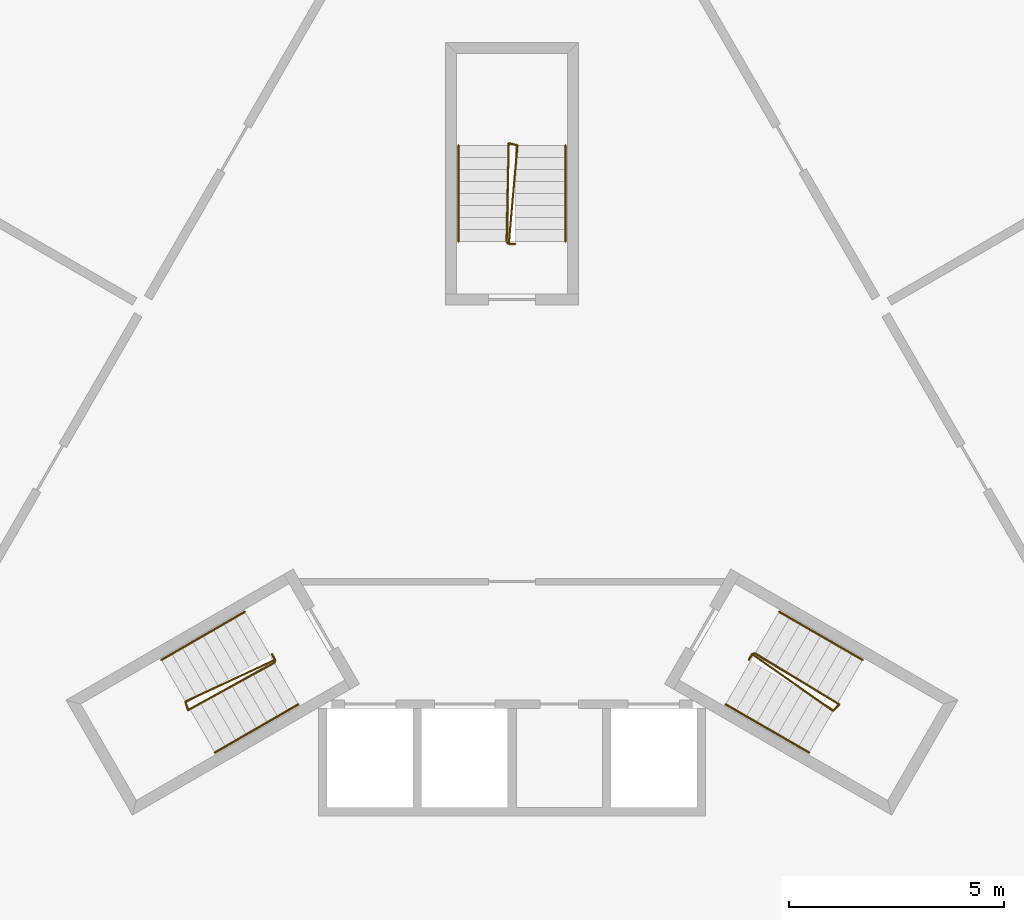
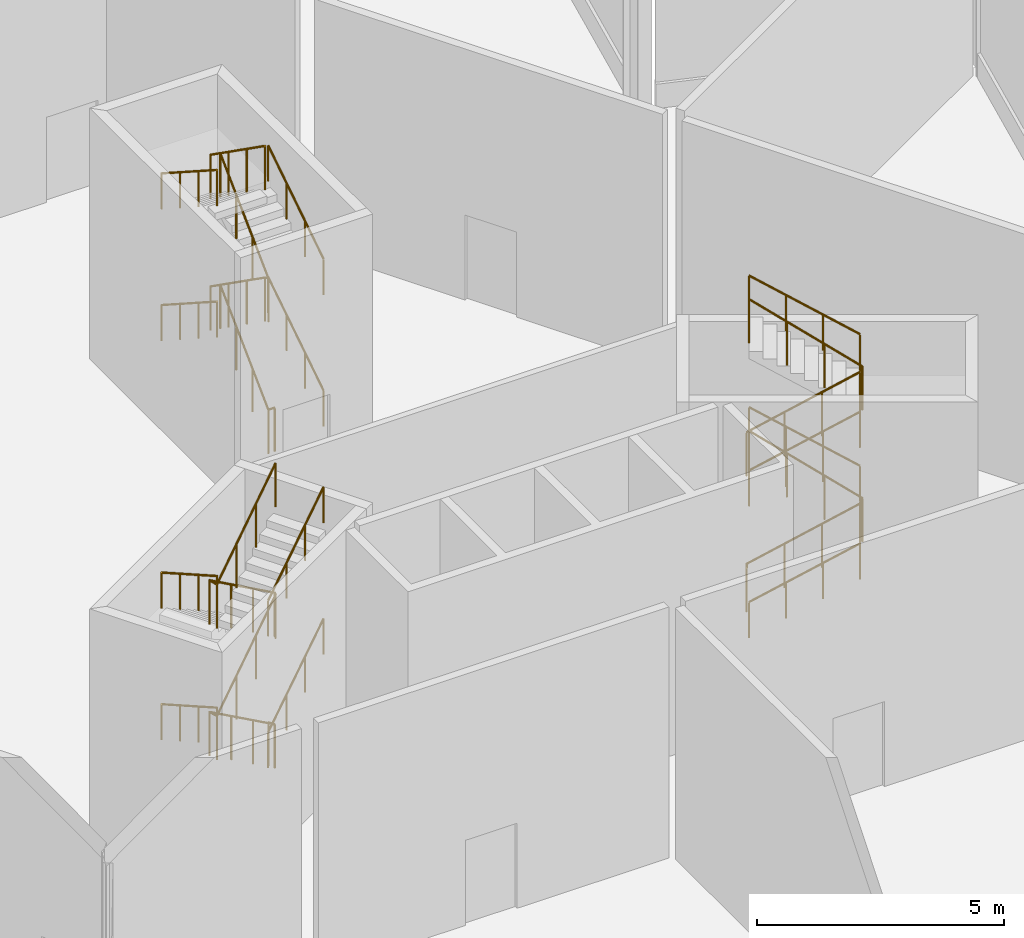
# One storey, part 12 of 12: 15 railings.
"""IFC4 building model written with IfcOpenShell, lengths in metres."""

from ifc_helpers import new_model, si_unit, direction, frame, origin, origin_2d, place, context, subcontext, project, spatial, circle, extrude, material, type_object, element, save


model = new_model("IFC4")

# Units and contexts
model_context = context("Model", 3, precision=1e-05, world=origin(), true_north=direction((0.0, 1.0)))
body_context = subcontext(model_context, "Body", "Model", "MODEL_VIEW")
ifc_project = project(units=[si_unit("LENGTHUNIT", "METRE"), si_unit("AREAUNIT", "SQUARE_METRE"), si_unit("VOLUMEUNIT", "CUBIC_METRE"), si_unit("PLANEANGLEUNIT", "RADIAN"), si_unit("MASSUNIT", "GRAM", prefix="KILO")], contexts=[model_context])

# Site, building, storey
site_placement = place(None, origin())
site = spatial("IfcSite", under=ifc_project, at=site_placement, CompositionType="ELEMENT")
building_placement = place(site_placement, origin())
building = spatial("IfcBuilding", under=site, at=building_placement, Name="Cormorant Prow Tower", CompositionType="ELEMENT")
storey_placement = place(building_placement, frame((0.0, 0.0, 428.199951171875)))
storey = spatial("IfcBuildingStorey", under=building, at=storey_placement, Name="L96", CompositionType="ELEMENT", Elevation=428.199951171875)

# Railings
ifc_material_1 = material(Name="Stainless steel", Category="steel")
railing_type_1 = type_object("IfcRailingType", Name="Stair guard 1100", PredefinedType="GUARDRAIL", material=ifc_material_1)
railing_1_placement = place(storey_placement, frame((-5.585205078125, -3.137939453125, 0.0)))
element("IfcRailing", 1, at=railing_1_placement, inside=storey, type_object=railing_type_1, Name="L96 ST1 stair guard 1", PredefinedType="GUARDRAIL", context=body_context, shape_type="SweptSolid", body=[
    extrude(circle(Radius=0.02392578125, at=origin_2d()), frame((0.0, 0.0, 1.076171875), z_axis=(0.501036270542, -0.865426285481, 0.0), x_axis=(0.865426285481, 0.501036270542, 0.0)), (0.0, 0.0, 1.0), 0.150146484375),
    extrude(circle(Radius=0.02392578125, at=origin_2d()), frame((0.0751953125, -0.1298828125, 1.076171875), z_axis=(-0.740008473092, -0.345244782771, 0.577229157026), x_axis=(0.422792438952, -0.906226546491, 0.0)), (0.0, 0.0, 1.0), 2.815185546875),
    extrude(circle(Radius=0.02392578125, at=origin_2d()), frame((-2.008056640625, -1.101806640625, 2.701171875), z_axis=(0.275034262293, -0.961434425515, 0.0), x_axis=(0.961434425515, 0.275034262293, 0.0)), (0.0, 0.0, 1.0), 0.2060546875),
    extrude(circle(Radius=0.02392578125, at=origin_2d()), frame((-1.951416015625, -1.2998046875, 2.701171875), z_axis=(0.715094700355, 0.392232833455, 0.578612974175), x_axis=(-0.480911908544, 0.87676891837, 0.0)), (0.0, 0.0, 1.0), 2.808349609375),
    extrude(circle(Radius=0.02392578125, at=origin_2d()), frame((0.056884765625, -0.1982421875, 4.326171875), z_axis=(0.258736085224, 0.965948051503, 0.0), x_axis=(-0.965948051503, 0.258736085224, 0.0)), (0.0, 0.0, 1.0), 0.07080078125),
    extrude(circle(Radius=0.02392578125, at=origin_2d()), frame((0.0751953125, -0.1298828125, 4.326171875), z_axis=(-0.740008473092, -0.345244782771, 0.577229157026), x_axis=(0.422792438952, -0.906226546491, 0.0)), (0.0, 0.0, 1.0), 2.815185546875),
    extrude(circle(Radius=0.02392578125, at=origin_2d()), frame((-2.008056640625, -1.101806640625, 5.951171875), z_axis=(0.275034262293, -0.961434425515, 0.0), x_axis=(0.961434425515, 0.275034262293, 0.0)), (0.0, 0.0, 1.0), 0.2060546875),
    extrude(circle(Radius=0.02392578125, at=origin_2d()), frame((-1.951416015625, -1.2998046875, 5.951171875), z_axis=(0.715094700355, 0.392232833455, 0.578612974175), x_axis=(-0.480911908544, 0.87676891837, 0.0)), (0.0, 0.0, 1.0), 2.808349609375),
    extrude(circle(Radius=0.02099609375, at=origin_2d()), origin(), (0.0, 0.0, 1.0), 1.052001953125),
    extrude(circle(Radius=0.02099609375, at=origin_2d()), frame((0.0751953125, -0.1298828125, 0.0)), (0.0, 0.0, 1.0), 1.052001953125),
    extrude(circle(Radius=0.02099609375, at=origin_2d()), frame((-0.619140625, -0.453857421875, 0.541748046875)), (0.0, 0.0, 1.0), 1.052001953125),
    extrude(circle(Radius=0.02099609375, at=origin_2d()), frame((-1.313720703125, -0.77783203125, 1.083251953125)), (0.0, 0.0, 1.0), 1.052001953125),
    extrude(circle(Radius=0.02099609375, at=origin_2d()), frame((-2.008056640625, -1.101806640625, 1.625)), (0.0, 0.0, 1.0), 1.052001953125),
    extrude(circle(Radius=0.02099609375, at=origin_2d()), frame((-1.951416015625, -1.2998046875, 1.625)), (0.0, 0.0, 1.0), 1.052001953125),
    extrude(circle(Radius=0.02099609375, at=origin_2d()), frame((-1.281982421875, -0.9326171875, 2.166748046875)), (0.0, 0.0, 1.0), 1.052001953125),
    extrude(circle(Radius=0.02099609375, at=origin_2d()), frame((-0.612548828125, -0.5654296875, 2.708251953125)), (0.0, 0.0, 1.0), 1.052001953125),
    extrude(circle(Radius=0.02099609375, at=origin_2d()), frame((0.056884765625, -0.1982421875, 3.25)), (0.0, 0.0, 1.0), 1.052001953125),
    extrude(circle(Radius=0.02099609375, at=origin_2d()), frame((0.0751953125, -0.1298828125, 3.25)), (0.0, 0.0, 1.0), 1.052001953125),
    extrude(circle(Radius=0.02099609375, at=origin_2d()), frame((-0.619140625, -0.453857421875, 3.791748046875)), (0.0, 0.0, 1.0), 1.052001953125),
    extrude(circle(Radius=0.02099609375, at=origin_2d()), frame((-1.313720703125, -0.77783203125, 4.333251953125)), (0.0, 0.0, 1.0), 1.052001953125),
    extrude(circle(Radius=0.02099609375, at=origin_2d()), frame((-2.008056640625, -1.101806640625, 4.875)), (0.0, 0.0, 1.0), 1.052001953125),
    extrude(circle(Radius=0.02099609375, at=origin_2d()), frame((-1.951416015625, -1.2998046875, 4.875)), (0.0, 0.0, 1.0), 1.052001953125),
    extrude(circle(Radius=0.02099609375, at=origin_2d()), frame((-1.281982421875, -0.9326171875, 5.416748046875)), (0.0, 0.0, 1.0), 1.052001953125),
    extrude(circle(Radius=0.02099609375, at=origin_2d()), frame((-0.612548828125, -0.5654296875, 5.958251953125)), (0.0, 0.0, 1.0), 1.052001953125),
    extrude(circle(Radius=0.02099609375, at=origin_2d()), frame((0.056884765625, -0.1982421875, 6.5)), (0.0, 0.0, 1.0), 1.052001953125),
])
railing_2_placement = place(storey_placement, frame((5.510009765625, -3.267822265625, 0.0)))
element("IfcRailing", 2, at=railing_2_placement, inside=storey, type_object=railing_type_1, Name="L96 ST2 stair guard 1", PredefinedType="GUARDRAIL", context=body_context, shape_type="SweptSolid", body=[
    extrude(circle(Radius=0.02392578125, at=origin_2d()), frame((0.0, 0.0, 1.076171875), z_axis=(0.501036270542, 0.865426285481, 0.0), x_axis=(-0.865426285481, 0.501036270542, 0.0)), (0.0, 0.0, 1.0), 0.150146484375),
    extrude(circle(Radius=0.02392578125, at=origin_2d()), frame((0.0751953125, 0.1298828125, 1.076171875), z_axis=(0.668948032696, -0.468254949893, 0.577274485365), x_axis=(0.573455215813, 0.819236910458, 0.0)), (0.0, 0.0, 1.0), 2.81494140625),
    extrude(circle(Radius=0.02392578125, at=origin_2d()), frame((1.958251953125, -1.188232421875, 2.701171875), z_axis=(0.695164929852, 0.718850276695, 0.0), x_axis=(-0.718850276695, 0.695164929852, 0.0)), (0.0, 0.0, 1.0), 0.2060546875),
    extrude(circle(Radius=0.02392578125, at=origin_2d()), frame((2.1015625, -1.0400390625, 2.701171875), z_axis=(-0.697276709807, 0.423095093708, 0.578615357246), x_axis=(-0.518752825935, -0.854924268918, 0.0)), (0.0, 0.0, 1.0), 2.808349609375),
    extrude(circle(Radius=0.02392578125, at=origin_2d()), frame((0.143310546875, 0.148193359375, 4.326171875), z_axis=(-0.965715946433, -0.259601060869, 0.0), x_axis=(0.259601060869, -0.965715946433, 0.0)), (0.0, 0.0, 1.0), 0.070556640625),
    extrude(circle(Radius=0.02392578125, at=origin_2d()), frame((0.0751953125, 0.1298828125, 4.326171875), z_axis=(0.668948032696, -0.468254949893, 0.577274485365), x_axis=(0.573455215813, 0.819236910458, 0.0)), (0.0, 0.0, 1.0), 2.81494140625),
    extrude(circle(Radius=0.02392578125, at=origin_2d()), frame((1.958251953125, -1.188232421875, 5.951171875), z_axis=(0.695164929852, 0.718850276695, 0.0), x_axis=(-0.718850276695, 0.695164929852, 0.0)), (0.0, 0.0, 1.0), 0.2060546875),
    extrude(circle(Radius=0.02392578125, at=origin_2d()), frame((2.1015625, -1.0400390625, 5.951171875), z_axis=(-0.697276709807, 0.423095093708, 0.578615357246), x_axis=(-0.518752825935, -0.854924268918, 0.0)), (0.0, 0.0, 1.0), 2.808349609375),
    extrude(circle(Radius=0.02099609375, at=origin_2d()), origin(), (0.0, 0.0, 1.0), 1.052001953125),
    extrude(circle(Radius=0.02099609375, at=origin_2d()), frame((0.0751953125, 0.1298828125, 0.0)), (0.0, 0.0, 1.0), 1.052001953125),
    extrude(circle(Radius=0.02099609375, at=origin_2d()), frame((0.702880859375, -0.3095703125, 0.541748046875)), (0.0, 0.0, 1.0), 1.052001953125),
    extrude(circle(Radius=0.02099609375, at=origin_2d()), frame((1.33056640625, -0.748779296875, 1.083251953125)), (0.0, 0.0, 1.0), 1.052001953125),
    extrude(circle(Radius=0.02099609375, at=origin_2d()), frame((1.958251953125, -1.188232421875, 1.625)), (0.0, 0.0, 1.0), 1.052001953125),
    extrude(circle(Radius=0.02099609375, at=origin_2d()), frame((2.1015625, -1.0400390625, 1.625)), (0.0, 0.0, 1.0), 1.052001953125),
    extrude(circle(Radius=0.02099609375, at=origin_2d()), frame((1.44873046875, -0.64404296875, 2.166748046875)), (0.0, 0.0, 1.0), 1.052001953125),
    extrude(circle(Radius=0.02099609375, at=origin_2d()), frame((0.796142578125, -0.247802734375, 2.708251953125)), (0.0, 0.0, 1.0), 1.052001953125),
    extrude(circle(Radius=0.02099609375, at=origin_2d()), frame((0.143310546875, 0.148193359375, 3.25)), (0.0, 0.0, 1.0), 1.052001953125),
    extrude(circle(Radius=0.02099609375, at=origin_2d()), frame((0.0751953125, 0.1298828125, 3.25)), (0.0, 0.0, 1.0), 1.052001953125),
    extrude(circle(Radius=0.02099609375, at=origin_2d()), frame((0.702880859375, -0.3095703125, 3.791748046875)), (0.0, 0.0, 1.0), 1.052001953125),
    extrude(circle(Radius=0.02099609375, at=origin_2d()), frame((1.33056640625, -0.748779296875, 4.333251953125)), (0.0, 0.0, 1.0), 1.052001953125),
    extrude(circle(Radius=0.02099609375, at=origin_2d()), frame((1.958251953125, -1.188232421875, 4.875)), (0.0, 0.0, 1.0), 1.052001953125),
    extrude(circle(Radius=0.02099609375, at=origin_2d()), frame((2.1015625, -1.0400390625, 4.875)), (0.0, 0.0, 1.0), 1.052001953125),
    extrude(circle(Radius=0.02099609375, at=origin_2d()), frame((1.44873046875, -0.64404296875, 5.416748046875)), (0.0, 0.0, 1.0), 1.052001953125),
    extrude(circle(Radius=0.02099609375, at=origin_2d()), frame((0.796142578125, -0.247802734375, 5.958251953125)), (0.0, 0.0, 1.0), 1.052001953125),
    extrude(circle(Radius=0.02099609375, at=origin_2d()), frame((0.143310546875, 0.148193359375, 6.5)), (0.0, 0.0, 1.0), 1.052001953125),
])
railing_3_placement = place(storey_placement, frame((0.074951171875, 6.40576171875, 0.0)))
element("IfcRailing", 3, at=railing_3_placement, inside=storey, type_object=railing_type_1, Name="L96 ST3 stair guard 1", PredefinedType="GUARDRAIL", context=body_context, shape_type="SweptSolid", body=[
    extrude(circle(Radius=0.02392578125, at=origin_2d()), frame((0.0, 0.0, 1.076171875), z_axis=(-1.0, 0.0, 0.0), x_axis=(0.0, -1.0, 0.0)), (0.0, 0.0, 1.0), 0.14990234375),
    extrude(circle(Radius=0.02392578125, at=origin_2d()), frame((-0.14990234375, 0.0, 1.076171875), z_axis=(0.071027656616, 0.813479144146, 0.577240637893), x_axis=(-0.996209839609, 0.086982500921, 0.0)), (0.0, 0.0, 1.0), 2.815185546875),
    extrude(circle(Radius=0.02392578125, at=origin_2d()), frame((0.050048828125, 2.2900390625, 2.701171875), z_axis=(-0.970072785993, 0.242814311512, 0.0), x_axis=(-0.242814311512, -0.970072785993, 0.0)), (0.0, 0.0, 1.0), 0.2060546875),
    extrude(circle(Radius=0.02392578125, at=origin_2d()), frame((-0.14990234375, 2.340087890625, 2.701171875), z_axis=(-0.017820781196, -0.815409403021, 0.578610339713), x_axis=(0.999761264773, -0.0218497931, 0.0)), (0.0, 0.0, 1.0), 2.808349609375),
    extrude(circle(Radius=0.02392578125, at=origin_2d()), frame((-0.199951171875, 0.050048828125, 4.326171875), z_axis=(0.707106781187, -0.707106781187, 0.0), x_axis=(0.707106781187, 0.707106781187, 0.0)), (0.0, 0.0, 1.0), 0.07080078125),
    extrude(circle(Radius=0.02392578125, at=origin_2d()), frame((-0.14990234375, 0.0, 4.326171875), z_axis=(0.071027656616, 0.813479144146, 0.577240637893), x_axis=(-0.996209839609, 0.086982500921, 0.0)), (0.0, 0.0, 1.0), 2.815185546875),
    extrude(circle(Radius=0.02392578125, at=origin_2d()), frame((0.050048828125, 2.2900390625, 5.951171875), z_axis=(-0.970072785993, 0.242814311512, 0.0), x_axis=(-0.242814311512, -0.970072785993, 0.0)), (0.0, 0.0, 1.0), 0.2060546875),
    extrude(circle(Radius=0.02392578125, at=origin_2d()), frame((-0.14990234375, 2.340087890625, 5.951171875), z_axis=(-0.017820781196, -0.815409403021, 0.578610339713), x_axis=(0.999761264773, -0.0218497931, 0.0)), (0.0, 0.0, 1.0), 2.808349609375),
    extrude(circle(Radius=0.02099609375, at=origin_2d()), origin(), (0.0, 0.0, 1.0), 1.052001953125),
    extrude(circle(Radius=0.02099609375, at=origin_2d()), frame((-0.14990234375, 0.0, 0.0)), (0.0, 0.0, 1.0), 1.052001953125),
    extrude(circle(Radius=0.02099609375, at=origin_2d()), frame((-0.083251953125, 0.763427734375, 0.541748046875)), (0.0, 0.0, 1.0), 1.052001953125),
    extrude(circle(Radius=0.02099609375, at=origin_2d()), frame((-0.0166015625, 1.526611328125, 1.083251953125)), (0.0, 0.0, 1.0), 1.052001953125),
    extrude(circle(Radius=0.02099609375, at=origin_2d()), frame((0.050048828125, 2.2900390625, 1.625)), (0.0, 0.0, 1.0), 1.052001953125),
    extrude(circle(Radius=0.02099609375, at=origin_2d()), frame((-0.14990234375, 2.340087890625, 1.625)), (0.0, 0.0, 1.0), 1.052001953125),
    extrude(circle(Radius=0.02099609375, at=origin_2d()), frame((-0.16650390625, 1.57666015625, 2.166748046875)), (0.0, 0.0, 1.0), 1.052001953125),
    extrude(circle(Radius=0.02099609375, at=origin_2d()), frame((-0.183349609375, 0.8134765625, 2.708251953125)), (0.0, 0.0, 1.0), 1.052001953125),
    extrude(circle(Radius=0.02099609375, at=origin_2d()), frame((-0.199951171875, 0.050048828125, 3.25)), (0.0, 0.0, 1.0), 1.052001953125),
    extrude(circle(Radius=0.02099609375, at=origin_2d()), frame((-0.14990234375, 0.0, 3.25)), (0.0, 0.0, 1.0), 1.052001953125),
    extrude(circle(Radius=0.02099609375, at=origin_2d()), frame((-0.083251953125, 0.763427734375, 3.791748046875)), (0.0, 0.0, 1.0), 1.052001953125),
    extrude(circle(Radius=0.02099609375, at=origin_2d()), frame((-0.0166015625, 1.526611328125, 4.333251953125)), (0.0, 0.0, 1.0), 1.052001953125),
    extrude(circle(Radius=0.02099609375, at=origin_2d()), frame((0.050048828125, 2.2900390625, 4.875)), (0.0, 0.0, 1.0), 1.052001953125),
    extrude(circle(Radius=0.02099609375, at=origin_2d()), frame((-0.14990234375, 2.340087890625, 4.875)), (0.0, 0.0, 1.0), 1.052001953125),
    extrude(circle(Radius=0.02099609375, at=origin_2d()), frame((-0.16650390625, 1.57666015625, 5.416748046875)), (0.0, 0.0, 1.0), 1.052001953125),
    extrude(circle(Radius=0.02099609375, at=origin_2d()), frame((-0.183349609375, 0.8134765625, 5.958251953125)), (0.0, 0.0, 1.0), 1.052001953125),
    extrude(circle(Radius=0.02099609375, at=origin_2d()), frame((-0.199951171875, 0.050048828125, 6.5)), (0.0, 0.0, 1.0), 1.052001953125),
])
ifc_material_2 = material(Name="Stainless steel", Category="steel")
railing_type_2 = type_object("IfcRailingType", Name="Stair handrail 900", PredefinedType="HANDRAIL", material=ifc_material_2)
railing_4_placement = place(storey_placement, frame((-6.212890625, -2.150634765625, 0.1806640625)))
element("IfcRailing", 4, at=railing_4_placement, inside=storey, type_object=railing_type_2, Name="L96 ST1 stair handrail 1", PredefinedType="HANDRAIL", context=body_context, shape_type="SweptSolid", body=[
    extrude(circle(Radius=0.02392578125, at=origin_2d()), frame((0.0, 0.0, 0.8759765625), z_axis=(-0.727862807897, -0.420174515457, 0.541912455514), x_axis=(0.49994888933, -0.866054910533, 0.0)), (0.0, 0.0, 1.0), 2.665283203125),
    extrude(circle(Radius=0.02099609375, at=origin_2d()), origin(), (0.0, 0.0, 1.0), 0.851806640625),
    extrude(circle(Radius=0.02099609375, at=origin_2d()), frame((-0.646728515625, -0.373291015625, 0.4814453125)), (0.0, 0.0, 1.0), 0.851806640625),
    extrude(circle(Radius=0.02099609375, at=origin_2d()), frame((-1.293212890625, -0.74658203125, 0.962890625)), (0.0, 0.0, 1.0), 0.851806640625),
    extrude(circle(Radius=0.02099609375, at=origin_2d()), frame((-1.93994140625, -1.119873046875, 1.4443359375)), (0.0, 0.0, 1.0), 0.851806640625),
])
railing_5_placement = place(storey_placement, frame((-6.90869140625, -5.42529296875, 1.8056640625)))
element("IfcRailing", 5, at=railing_5_placement, inside=storey, type_object=railing_type_2, Name="L96 ST1 stair handrail 2", PredefinedType="HANDRAIL", context=body_context, shape_type="SweptSolid", body=[
    extrude(circle(Radius=0.02392578125, at=origin_2d()), frame((0.0, 0.0, 0.8759765625), z_axis=(0.727791713441, 0.420277958624, 0.541927725201), x_axis=(-0.500077830873, 0.865980463445, 0.0)), (0.0, 0.0, 1.0), 2.665283203125),
    extrude(circle(Radius=0.02099609375, at=origin_2d()), origin(), (0.0, 0.0, 1.0), 0.851806640625),
    extrude(circle(Radius=0.02099609375, at=origin_2d()), frame((0.646484375, 0.373291015625, 0.4814453125)), (0.0, 0.0, 1.0), 0.851806640625),
    extrude(circle(Radius=0.02099609375, at=origin_2d()), frame((1.293212890625, 0.746826171875, 0.962890625)), (0.0, 0.0, 1.0), 0.851806640625),
    extrude(circle(Radius=0.02099609375, at=origin_2d()), frame((1.939697265625, 1.1201171875, 1.4443359375)), (0.0, 0.0, 1.0), 0.851806640625),
])
railing_6_placement = place(storey_placement, frame((-6.212890625, -2.150634765625, 3.4306640625)))
element("IfcRailing", 6, at=railing_6_placement, inside=storey, type_object=railing_type_2, Name="L96 ST1 stair handrail 3", PredefinedType="HANDRAIL", context=body_context, shape_type="SweptSolid", body=[
    extrude(circle(Radius=0.02392578125, at=origin_2d()), frame((0.0, 0.0, 0.8759765625), z_axis=(-0.727862807897, -0.420174515457, 0.541912455514), x_axis=(0.49994888933, -0.866054910533, 0.0)), (0.0, 0.0, 1.0), 2.665283203125),
    extrude(circle(Radius=0.02099609375, at=origin_2d()), origin(), (0.0, 0.0, 1.0), 0.851806640625),
    extrude(circle(Radius=0.02099609375, at=origin_2d()), frame((-0.646728515625, -0.373291015625, 0.4814453125)), (0.0, 0.0, 1.0), 0.851806640625),
    extrude(circle(Radius=0.02099609375, at=origin_2d()), frame((-1.293212890625, -0.74658203125, 0.962890625)), (0.0, 0.0, 1.0), 0.851806640625),
    extrude(circle(Radius=0.02099609375, at=origin_2d()), frame((-1.93994140625, -1.119873046875, 1.4443359375)), (0.0, 0.0, 1.0), 0.851806640625),
])
railing_7_placement = place(storey_placement, frame((-6.90869140625, -5.42529296875, 5.0556640625)))
element("IfcRailing", 7, at=railing_7_placement, inside=storey, type_object=railing_type_2, Name="L96 ST1 stair handrail 4", PredefinedType="HANDRAIL", context=body_context, shape_type="SweptSolid", body=[
    extrude(circle(Radius=0.02392578125, at=origin_2d()), frame((0.0, 0.0, 0.8759765625), z_axis=(0.727791713441, 0.420277958624, 0.541927725201), x_axis=(-0.500077830873, 0.865980463445, 0.0)), (0.0, 0.0, 1.0), 2.665283203125),
    extrude(circle(Radius=0.02099609375, at=origin_2d()), origin(), (0.0, 0.0, 1.0), 0.851806640625),
    extrude(circle(Radius=0.02099609375, at=origin_2d()), frame((0.646484375, 0.373291015625, 0.4814453125)), (0.0, 0.0, 1.0), 0.851806640625),
    extrude(circle(Radius=0.02099609375, at=origin_2d()), frame((1.293212890625, 0.746826171875, 0.962890625)), (0.0, 0.0, 1.0), 0.851806640625),
    extrude(circle(Radius=0.02099609375, at=origin_2d()), frame((1.939697265625, 1.1201171875, 1.4443359375)), (0.0, 0.0, 1.0), 0.851806640625),
])
railing_8_placement = place(storey_placement, frame((4.968994140625, -4.30517578125, 0.1806640625)))
element("IfcRailing", 8, at=railing_8_placement, inside=storey, type_object=railing_type_2, Name="L96 ST2 stair handrail 1", PredefinedType="HANDRAIL", context=body_context, shape_type="SweptSolid", body=[
    extrude(circle(Radius=0.02392578125, at=origin_2d()), frame((0.0, 0.0, 0.8759765625), z_axis=(0.727791713441, -0.420277958624, 0.541927725201), x_axis=(0.500077830873, 0.865980463445, 0.0)), (0.0, 0.0, 1.0), 2.665283203125),
    extrude(circle(Radius=0.02099609375, at=origin_2d()), origin(), (0.0, 0.0, 1.0), 0.851806640625),
    extrude(circle(Radius=0.02099609375, at=origin_2d()), frame((0.646484375, -0.373291015625, 0.4814453125)), (0.0, 0.0, 1.0), 0.851806640625),
    extrude(circle(Radius=0.02099609375, at=origin_2d()), frame((1.293212890625, -0.746826171875, 0.962890625)), (0.0, 0.0, 1.0), 0.851806640625),
    extrude(circle(Radius=0.02099609375, at=origin_2d()), frame((1.939697265625, -1.1201171875, 1.4443359375)), (0.0, 0.0, 1.0), 0.851806640625),
])
railing_9_placement = place(storey_placement, frame((8.15283203125, -3.2705078125, 1.8056640625)))
element("IfcRailing", 9, at=railing_9_placement, inside=storey, type_object=railing_type_2, Name="L96 ST2 stair handrail 2", PredefinedType="HANDRAIL", context=body_context, shape_type="SweptSolid", body=[
    extrude(circle(Radius=0.02392578125, at=origin_2d()), frame((0.0, 0.0, 0.8759765625), z_axis=(-0.727862807897, 0.420174515457, 0.541912455514), x_axis=(-0.49994888933, -0.866054910533, 0.0)), (0.0, 0.0, 1.0), 2.665283203125),
    extrude(circle(Radius=0.02099609375, at=origin_2d()), origin(), (0.0, 0.0, 1.0), 0.851806640625),
    extrude(circle(Radius=0.02099609375, at=origin_2d()), frame((-0.646728515625, 0.373291015625, 0.4814453125)), (0.0, 0.0, 1.0), 0.851806640625),
    extrude(circle(Radius=0.02099609375, at=origin_2d()), frame((-1.293212890625, 0.74658203125, 0.962890625)), (0.0, 0.0, 1.0), 0.851806640625),
    extrude(circle(Radius=0.02099609375, at=origin_2d()), frame((-1.93994140625, 1.119873046875, 1.4443359375)), (0.0, 0.0, 1.0), 0.851806640625),
])
railing_10_placement = place(storey_placement, frame((4.968994140625, -4.30517578125, 3.4306640625)))
element("IfcRailing", 10, at=railing_10_placement, inside=storey, type_object=railing_type_2, Name="L96 ST2 stair handrail 3", PredefinedType="HANDRAIL", context=body_context, shape_type="SweptSolid", body=[
    extrude(circle(Radius=0.02392578125, at=origin_2d()), frame((0.0, 0.0, 0.8759765625), z_axis=(0.727791713441, -0.420277958624, 0.541927725201), x_axis=(0.500077830873, 0.865980463445, 0.0)), (0.0, 0.0, 1.0), 2.665283203125),
    extrude(circle(Radius=0.02099609375, at=origin_2d()), origin(), (0.0, 0.0, 1.0), 0.851806640625),
    extrude(circle(Radius=0.02099609375, at=origin_2d()), frame((0.646484375, -0.373291015625, 0.4814453125)), (0.0, 0.0, 1.0), 0.851806640625),
    extrude(circle(Radius=0.02099609375, at=origin_2d()), frame((1.293212890625, -0.746826171875, 0.962890625)), (0.0, 0.0, 1.0), 0.851806640625),
    extrude(circle(Radius=0.02099609375, at=origin_2d()), frame((1.939697265625, -1.1201171875, 1.4443359375)), (0.0, 0.0, 1.0), 0.851806640625),
])
railing_11_placement = place(storey_placement, frame((8.15283203125, -3.2705078125, 5.0556640625)))
element("IfcRailing", 11, at=railing_11_placement, inside=storey, type_object=railing_type_2, Name="L96 ST2 stair handrail 4", PredefinedType="HANDRAIL", context=body_context, shape_type="SweptSolid", body=[
    extrude(circle(Radius=0.02392578125, at=origin_2d()), frame((0.0, 0.0, 0.8759765625), z_axis=(-0.727862807897, 0.420174515457, 0.541912455514), x_axis=(-0.49994888933, -0.866054910533, 0.0)), (0.0, 0.0, 1.0), 2.665283203125),
    extrude(circle(Radius=0.02099609375, at=origin_2d()), origin(), (0.0, 0.0, 1.0), 0.851806640625),
    extrude(circle(Radius=0.02099609375, at=origin_2d()), frame((-0.646728515625, 0.373291015625, 0.4814453125)), (0.0, 0.0, 1.0), 0.851806640625),
    extrude(circle(Radius=0.02099609375, at=origin_2d()), frame((-1.293212890625, 0.74658203125, 0.962890625)), (0.0, 0.0, 1.0), 0.851806640625),
    extrude(circle(Radius=0.02099609375, at=origin_2d()), frame((-1.93994140625, 1.119873046875, 1.4443359375)), (0.0, 0.0, 1.0), 0.851806640625),
])
railing_12_placement = place(storey_placement, frame((1.243896484375, 6.455810546875, 0.1806640625)))
element("IfcRailing", 12, at=railing_12_placement, inside=storey, type_object=railing_type_2, Name="L96 ST3 stair handrail 1", PredefinedType="HANDRAIL", context=body_context, shape_type="SweptSolid", body=[
    extrude(circle(Radius=0.02392578125, at=origin_2d()), frame((0.0, 0.0, 0.8759765625), z_axis=(0.0, 0.840436612492, 0.541909863706), x_axis=(-1.0, 0.0, 0.0)), (0.0, 0.0, 1.0), 2.665283203125),
    extrude(circle(Radius=0.02099609375, at=origin_2d()), origin(), (0.0, 0.0, 1.0), 0.851806640625),
    extrude(circle(Radius=0.02099609375, at=origin_2d()), frame((0.0, 0.74658203125, 0.4814453125)), (0.0, 0.0, 1.0), 0.851806640625),
    extrude(circle(Radius=0.02099609375, at=origin_2d()), frame((0.0, 1.493408203125, 0.962890625)), (0.0, 0.0, 1.0), 0.851806640625),
    extrude(circle(Radius=0.02099609375, at=origin_2d()), frame((0.0, 2.239990234375, 1.4443359375)), (0.0, 0.0, 1.0), 0.851806640625),
])
railing_13_placement = place(storey_placement, frame((-1.243896484375, 8.69580078125, 1.8056640625)))
element("IfcRailing", 13, at=railing_13_placement, inside=storey, type_object=railing_type_2, Name="L96 ST3 stair handrail 2", PredefinedType="HANDRAIL", context=body_context, shape_type="SweptSolid", body=[
    extrude(circle(Radius=0.02392578125, at=origin_2d()), frame((0.0, 0.0, 0.8759765625), z_axis=(0.0, -0.840436612492, 0.541909863706), x_axis=(1.0, 0.0, 0.0)), (0.0, 0.0, 1.0), 2.665283203125),
    extrude(circle(Radius=0.02099609375, at=origin_2d()), origin(), (0.0, 0.0, 1.0), 0.851806640625),
    extrude(circle(Radius=0.02099609375, at=origin_2d()), frame((0.0, -0.74658203125, 0.4814453125)), (0.0, 0.0, 1.0), 0.851806640625),
    extrude(circle(Radius=0.02099609375, at=origin_2d()), frame((0.0, -1.493408203125, 0.962890625)), (0.0, 0.0, 1.0), 0.851806640625),
    extrude(circle(Radius=0.02099609375, at=origin_2d()), frame((0.0, -2.239990234375, 1.4443359375)), (0.0, 0.0, 1.0), 0.851806640625),
])
railing_14_placement = place(storey_placement, frame((1.243896484375, 6.455810546875, 3.4306640625)))
element("IfcRailing", 14, at=railing_14_placement, inside=storey, type_object=railing_type_2, Name="L96 ST3 stair handrail 3", PredefinedType="HANDRAIL", context=body_context, shape_type="SweptSolid", body=[
    extrude(circle(Radius=0.02392578125, at=origin_2d()), frame((0.0, 0.0, 0.8759765625), z_axis=(0.0, 0.840436612492, 0.541909863706), x_axis=(-1.0, 0.0, 0.0)), (0.0, 0.0, 1.0), 2.665283203125),
    extrude(circle(Radius=0.02099609375, at=origin_2d()), origin(), (0.0, 0.0, 1.0), 0.851806640625),
    extrude(circle(Radius=0.02099609375, at=origin_2d()), frame((0.0, 0.74658203125, 0.4814453125)), (0.0, 0.0, 1.0), 0.851806640625),
    extrude(circle(Radius=0.02099609375, at=origin_2d()), frame((0.0, 1.493408203125, 0.962890625)), (0.0, 0.0, 1.0), 0.851806640625),
    extrude(circle(Radius=0.02099609375, at=origin_2d()), frame((0.0, 2.239990234375, 1.4443359375)), (0.0, 0.0, 1.0), 0.851806640625),
])
railing_15_placement = place(storey_placement, frame((-1.243896484375, 8.69580078125, 5.0556640625)))
element("IfcRailing", 15, at=railing_15_placement, inside=storey, type_object=railing_type_2, Name="L96 ST3 stair handrail 4", PredefinedType="HANDRAIL", context=body_context, shape_type="SweptSolid", body=[
    extrude(circle(Radius=0.02392578125, at=origin_2d()), frame((0.0, 0.0, 0.8759765625), z_axis=(0.0, -0.840436612492, 0.541909863706), x_axis=(1.0, 0.0, 0.0)), (0.0, 0.0, 1.0), 2.665283203125),
    extrude(circle(Radius=0.02099609375, at=origin_2d()), origin(), (0.0, 0.0, 1.0), 0.851806640625),
    extrude(circle(Radius=0.02099609375, at=origin_2d()), frame((0.0, -0.74658203125, 0.4814453125)), (0.0, 0.0, 1.0), 0.851806640625),
    extrude(circle(Radius=0.02099609375, at=origin_2d()), frame((0.0, -1.493408203125, 0.962890625)), (0.0, 0.0, 1.0), 0.851806640625),
    extrude(circle(Radius=0.02099609375, at=origin_2d()), frame((0.0, -2.239990234375, 1.4443359375)), (0.0, 0.0, 1.0), 0.851806640625),
])

save(model, "model.ifc")
